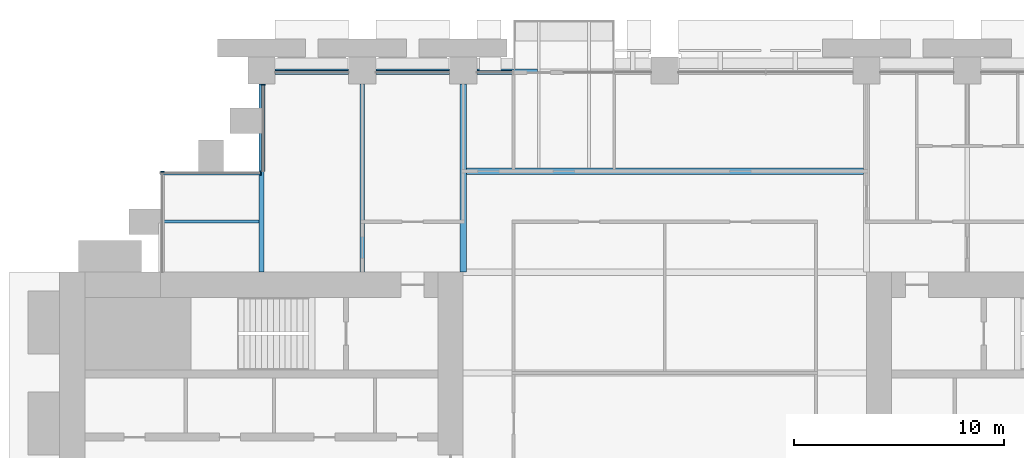
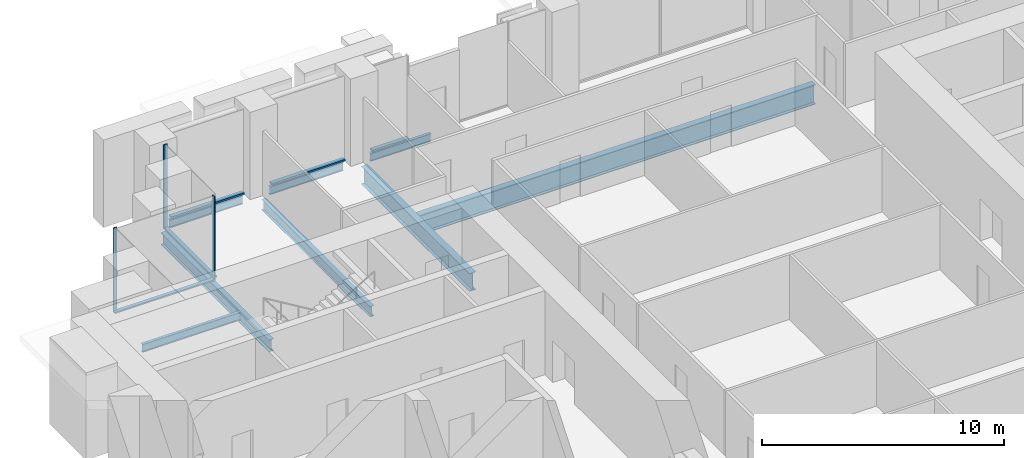
# One storey, part 15 of 32: 8 beams, 8 members, 4 elements without a shape of their own.
"""IFC4 building model written with IfcOpenShell, lengths in metres."""

from ifc_helpers import new_model, si_unit, direction, frame, origin, origin_2d, place, context, subcontext, project, spatial, rectangle, i_section, extrude, material, material_profile, profile_set, type_object, element, aggregate, save


model = new_model("IFC4")

# Units and contexts
model_context = context("Model", 3, precision=1e-05, world=origin(), true_north=direction((0.0, 1.0)))
body_context = subcontext(model_context, "Body", "Model", "MODEL_VIEW")
ifc_project = project(units=[si_unit("LENGTHUNIT", "METRE"), si_unit("AREAUNIT", "SQUARE_METRE"), si_unit("VOLUMEUNIT", "CUBIC_METRE"), si_unit("PLANEANGLEUNIT", "RADIAN"), si_unit("MASSUNIT", "GRAM", prefix="KILO")], contexts=[model_context])

# Site, building, storey
site_placement = place(None, origin())
site = spatial("IfcSite", under=ifc_project, at=site_placement, CompositionType="ELEMENT")
building_placement = place(site_placement, origin())
building = spatial("IfcBuilding", under=site, at=building_placement, Name="Baori Bourse Tower", CompositionType="ELEMENT")
storey_placement = place(building_placement, frame((0.0, 0.0, 21.39990234375)))
storey = spatial("IfcBuildingStorey", under=building, at=storey_placement, Name="L03", CompositionType="ELEMENT", Elevation=21.39990234375)

# Curtain wall, members
ifc_material_1 = material(Name="Pale anodised aluminium", Category="aluminium")
curtain_wall_type_1 = type_object("IfcCurtainWallType", Name="CW1 Curtain wall", PredefinedType="NOTDEFINED", material=ifc_material_1)
curtain_wall_1_placement = place(storey_placement, origin())
curtain_wall_1 = element("IfcCurtainWall", 1, at=curtain_wall_1_placement, inside=storey, type_object=curtain_wall_type_1, Name="Curtain wall CW1 L03 6", PredefinedType="NOTDEFINED")
ifc_material_2 = material(Name="Pale anodised aluminium", Category="aluminium")
ifc_material_profile_1 = material_profile(ifc_material_2, rectangle(XDim=0.199951171875, YDim=0.080078125, at=origin_2d()), Name="Transom 80x200")
ifc_profile_set_1 = profile_set([ifc_material_profile_1], Name="Pale anodised aluminium")
member_type_1 = type_object("IfcMemberType", Name="CW1 Curtain wall transom", PredefinedType="USERDEFINED", material=ifc_profile_set_1)
member_1_placement = place(storey_placement, frame((21.60009765625, 47.89990234375, 0.0400390625), z_axis=(-1.0, 0.0, 0.0), x_axis=(0.0, -1.0, 0.0)))
member_1 = element("IfcMember", 2, at=member_1_placement, type_object=member_type_1, Name="Curtain wall CW1 sill rail", ObjectType="TRANSOM", PredefinedType="USERDEFINED", context=body_context, shape_type="SweptSolid", body=[
    extrude(rectangle(XDim=0.199951171875, YDim=0.080078125, at=origin_2d()), origin(), (0.0, 0.0, 1.0), 1.75),
])
member_2_placement = place(storey_placement, frame((18.550048828125, 47.89990234375, 0.0400390625), z_axis=(-1.0, 0.0, 0.0), x_axis=(0.0, -1.0, 0.0)))
member_2 = element("IfcMember", 3, at=member_2_placement, type_object=member_type_1, Name="Curtain wall CW1 sill rail", ObjectType="TRANSOM", PredefinedType="USERDEFINED", context=body_context, shape_type="SweptSolid", body=[
    extrude(rectangle(XDim=0.199951171875, YDim=0.080078125, at=origin_2d()), origin(), (0.0, 0.0, 1.0), 3.5),
])
member_3_placement = place(storey_placement, frame((13.75, 47.89990234375, 0.0400390625), z_axis=(-1.0, 0.0, 0.0), x_axis=(0.0, -1.0, 0.0)))
member_3 = element("IfcMember", 4, at=member_3_placement, type_object=member_type_1, Name="Curtain wall CW1 sill rail", ObjectType="TRANSOM", PredefinedType="USERDEFINED", context=body_context, shape_type="SweptSolid", body=[
    extrude(rectangle(XDim=0.199951171875, YDim=0.080078125, at=origin_2d()), origin(), (0.0, 0.0, 1.0), 3.5),
])
aggregate(curtain_wall_1, [member_1, member_2, member_3])

# Curtain wall, member
ifc_material_3 = material(Name="Pale anodised aluminium", Category="aluminium")
curtain_wall_type_2 = type_object("IfcCurtainWallType", Name="CW2 Curtain wall", PredefinedType="NOTDEFINED", material=ifc_material_3)
curtain_wall_2_placement = place(storey_placement, origin())
curtain_wall_2 = element("IfcCurtainWall", 5, at=curtain_wall_2_placement, inside=storey, type_object=curtain_wall_type_2, Name="Curtain wall CW2 L03 7", PredefinedType="NOTDEFINED")
ifc_material_4 = material(Name="Pale anodised aluminium", Category="aluminium")
ifc_material_profile_2 = material_profile(ifc_material_4, rectangle(XDim=0.179931640625, YDim=0.054931640625, at=origin_2d()), Name="Mullion 55x180")
ifc_profile_set_2 = profile_set([ifc_material_profile_2], Name="Pale anodised aluminium")
member_type_2 = type_object("IfcMemberType", Name="CW2 Curtain wall mullion", PredefinedType="MULLION", material=ifc_profile_set_2)
member_4_placement = place(storey_placement, frame((9.68994140625, 47.322509765625, 0.070068359375), z_axis=(0.0, 0.0, 1.0), x_axis=(1.0, 0.0, 0.0)))
member_4 = element("IfcMember", 6, at=member_4_placement, type_object=member_type_2, Name="Curtain wall CW2 mullion", PredefinedType="MULLION", context=body_context, shape_type="SweptSolid", body=[
    extrude(rectangle(XDim=0.179931640625, YDim=0.054931640625, at=origin_2d()), origin(), (0.0, 0.0, 1.0), 4.169921875),
])

curtain_wall_3_placement = place(storey_placement, origin())
curtain_wall_3 = element("IfcCurtainWall", 7, at=curtain_wall_3_placement, inside=storey, type_object=curtain_wall_type_2, Name="Curtain wall CW2 L03 8", PredefinedType="NOTDEFINED")
member_5_placement = place(storey_placement, frame((9.572509765625, 43.110107421875, 0.070068359375), z_axis=(0.0, 0.0, 1.0), x_axis=(0.0, -1.0, 0.0)))
member_5 = element("IfcMember", 8, at=member_5_placement, type_object=member_type_2, Name="Curtain wall CW2 mullion", PredefinedType="MULLION", context=body_context, shape_type="SweptSolid", body=[
    extrude(rectangle(XDim=0.179931640625, YDim=0.054931640625, at=origin_2d()), origin(), (0.0, 0.0, 1.0), 4.169921875),
])

curtain_wall_4_placement = place(storey_placement, origin())
curtain_wall_4 = element("IfcCurtainWall", 9, at=curtain_wall_4_placement, inside=storey, type_object=curtain_wall_type_2, Name="Curtain wall CW2 L03 9", PredefinedType="NOTDEFINED")
member_6_placement = place(storey_placement, frame((4.889892578125, 43.172607421875, 0.070068359375), z_axis=(0.0, 0.0, 1.0), x_axis=(1.0, 0.0, 0.0)))
member_6 = element("IfcMember", 10, at=member_6_placement, type_object=member_type_2, Name="Curtain wall CW2 mullion", PredefinedType="MULLION", context=body_context, shape_type="SweptSolid", body=[
    extrude(rectangle(XDim=0.179931640625, YDim=0.054931640625, at=origin_2d()), origin(), (0.0, 0.0, 1.0), 4.169921875),
])
aggregate(curtain_wall_4, [member_6])

# Member
ifc_material_5 = material(Name="Pale anodised aluminium", Category="aluminium")
ifc_material_profile_3 = material_profile(ifc_material_5, rectangle(XDim=0.179931640625, YDim=0.070068359375, at=origin_2d()), Name="Transom 70x180")
ifc_profile_set_3 = profile_set([ifc_material_profile_3], Name="Pale anodised aluminium")
member_type_3 = type_object("IfcMemberType", Name="CW2 Curtain wall transom", PredefinedType="USERDEFINED", material=ifc_profile_set_3)
member_7_placement = place(storey_placement, frame((9.68994140625, 47.35009765625, 0.03515625), z_axis=(0.0, -1.0, 0.0), x_axis=(1.0, 0.0, 0.0)))
member_7 = element("IfcMember", 11, at=member_7_placement, type_object=member_type_3, Name="Curtain wall CW2 sill rail", ObjectType="TRANSOM", PredefinedType="USERDEFINED", context=body_context, shape_type="SweptSolid", body=[
    extrude(rectangle(XDim=0.179931640625, YDim=0.070068359375, at=origin_2d()), origin(), (0.0, 0.0, 1.0), 4.150146484375),
])

aggregate(curtain_wall_2, [member_7, member_4])

member_8_placement = place(storey_placement, frame((9.60009765625, 43.110107421875, 0.03515625), z_axis=(-1.0, 0.0, 0.0), x_axis=(0.0, -1.0, 0.0)))
member_8 = element("IfcMember", 12, at=member_8_placement, type_object=member_type_3, Name="Curtain wall CW2 sill rail", ObjectType="TRANSOM", PredefinedType="USERDEFINED", context=body_context, shape_type="SweptSolid", body=[
    extrude(rectangle(XDim=0.179931640625, YDim=0.070068359375, at=origin_2d()), origin(), (0.0, 0.0, 1.0), 4.800048828125),
])

aggregate(curtain_wall_3, [member_8, member_5])

# Beams
ifc_material_6 = material(Name="Steel A992 Gr 50", Category="steel")
ifc_material_profile_4 = material_profile(ifc_material_6, i_section(OverallWidth=0.140380859375, OverallDepth=0.40380859375, WebThickness=0.007080078125, FlangeThickness=0.01123046875, at=origin_2d()), Name="W16x31")
ifc_profile_set_4 = profile_set([ifc_material_profile_4], Name="Steel A992 Gr 50")
beam_type_1 = type_object("IfcBeamType", Name="Edge beam W16x31", PredefinedType="BEAM", material=ifc_profile_set_4)
for number, where, z_axis, x_axis, name in (
    (13, (10.25, 48.0, -0.36181640625), (1.0, 0.0, 0.0), (0.0, 1.0, 0.0), "Edge beam L03"),
    (14, (15.050048828125, 48.0, -0.36181640625), (1.0, 0.0, 0.0), (0.0, 1.0, 0.0), "Edge beam L03"),
):
    element("IfcBeam", number, at=place(storey_placement, frame(where, z_axis=z_axis, x_axis=x_axis)), inside=storey, type_object=beam_type_1, Name=name, PredefinedType="BEAM", context=body_context, shape_type="SweptSolid", body=[
        extrude(i_section(OverallWidth=0.140380859375, OverallDepth=0.40380859375, WebThickness=0.007080078125, FlangeThickness=0.01123046875, at=origin_2d()), origin(), (0.0, 0.0, 1.0), 3.5),
    ])
beam_1_placement = place(storey_placement, frame((19.85009765625, 48.0, -0.36181640625), z_axis=(1.0, 0.0, 0.0), x_axis=(0.0, 1.0, 0.0)))
element("IfcBeam", 15, at=beam_1_placement, inside=storey, type_object=beam_type_1, Name="Edge beam L03", PredefinedType="BEAM", context=body_context, shape_type="SweptSolid", body=[
    extrude(i_section(OverallWidth=0.140380859375, OverallDepth=0.40380859375, WebThickness=0.007080078125, FlangeThickness=0.01123046875, at=origin_2d()), origin(), (0.0, 0.0, 1.0), 2.879638671875),
])
ifc_material_7 = material(Name="Steel A992 Gr 50", Category="steel")
ifc_material_profile_5 = material_profile(ifc_material_7, i_section(OverallWidth=0.209228515625, OverallDepth=0.533447265625, WebThickness=0.01025390625, FlangeThickness=0.015625, at=origin_2d()), Name="W21x62")
ifc_profile_set_5 = profile_set([ifc_material_profile_5], Name="Steel A992 Gr 50")
beam_type_2 = type_object("IfcBeamType", Name="Floor beam W21x62", PredefinedType="BEAM", material=ifc_profile_set_5)
beam_2_placement = place(storey_placement, frame((14.39990234375, 38.39990234375, -0.426513671875), z_axis=(0.0, 1.0, 0.0), x_axis=(-1.0, 0.0, 0.0)))
element("IfcBeam", 16, at=beam_2_placement, inside=storey, type_object=beam_type_2, Name="Floor beam L03", PredefinedType="BEAM", context=body_context, shape_type="SweptSolid", body=[
    extrude(i_section(OverallWidth=0.209228515625, OverallDepth=0.533447265625, WebThickness=0.01025390625, FlangeThickness=0.015625, at=origin_2d()), origin(), (0.0, 0.0, 1.0), 8.9501953125),
])
ifc_material_8 = material(Name="Steel A992 Gr 50", Category="steel")
ifc_material_profile_6 = material_profile(ifc_material_8, i_section(OverallWidth=0.227783203125, OverallDepth=0.60205078125, WebThickness=0.010498046875, FlangeThickness=0.014892578125, at=origin_2d()), Name="W24x68")
ifc_profile_set_6 = profile_set([ifc_material_profile_6], Name="Steel A992 Gr 50")
beam_type_3 = type_object("IfcBeamType", Name="Floor beam W24x68", PredefinedType="BEAM", material=ifc_profile_set_6)
beam_3_placement = place(storey_placement, frame((9.60009765625, 38.39990234375, -0.4609375), z_axis=(0.0, 1.0, 0.0), x_axis=(-1.0, 0.0, 0.0)))
element("IfcBeam", 17, at=beam_3_placement, inside=storey, type_object=beam_type_3, Name="Floor beam L03", PredefinedType="BEAM", context=body_context, shape_type="SweptSolid", body=[
    extrude(i_section(OverallWidth=0.227783203125, OverallDepth=0.60205078125, WebThickness=0.010498046875, FlangeThickness=0.014892578125, at=origin_2d()), origin(), (0.0, 0.0, 1.0), 8.9501953125),
])
ifc_material_9 = material(Name="Steel A992 Gr 50", Category="steel")
ifc_material_profile_7 = material_profile(ifc_material_9, i_section(OverallWidth=0.2998046875, OverallDepth=0.990478515625, WebThickness=0.0166015625, FlangeThickness=0.030517578125, at=origin_2d()), Name="W40x183")
ifc_profile_set_7 = profile_set([ifc_material_profile_7], Name="Steel A992 Gr 50")
beam_type_4 = type_object("IfcBeamType", Name="Floor beam W40x183", PredefinedType="BEAM", material=ifc_profile_set_7)
beam_4_placement = place(storey_placement, frame((19.352294921875, 43.199951171875, -0.6552734375), z_axis=(1.0, 0.0, 0.0), x_axis=(0.0, 1.0, 0.0)))
element("IfcBeam", 18, at=beam_4_placement, inside=storey, type_object=beam_type_4, Name="Floor beam L03", PredefinedType="BEAM", context=body_context, shape_type="SweptSolid", body=[
    extrude(i_section(OverallWidth=0.2998046875, OverallDepth=0.990478515625, WebThickness=0.0166015625, FlangeThickness=0.030517578125, at=origin_2d()), origin(), (0.0, 0.0, 1.0), 18.901611328125),
])
ifc_material_10 = material(Name="Steel A992 Gr 50", Category="steel")
ifc_material_profile_8 = material_profile(ifc_material_10, i_section(OverallWidth=0.3046875, OverallDepth=0.904296875, WebThickness=0.01513671875, FlangeThickness=0.02001953125, at=origin_2d()), Name="W36x135")
ifc_profile_set_8 = profile_set([ifc_material_profile_8], Name="Steel A992 Gr 50")
beam_type_5 = type_object("IfcBeamType", Name="Girder W36x135", PredefinedType="BEAM", material=ifc_profile_set_8)
beam_5_placement = place(storey_placement, frame((19.199951171875, 38.39990234375, -0.612060546875), z_axis=(0.0, 1.0, 0.0), x_axis=(-1.0, 0.0, 0.0)))
element("IfcBeam", 19, at=beam_5_placement, inside=storey, type_object=beam_type_5, Name="Girder L03", PredefinedType="BEAM", context=body_context, shape_type="SweptSolid", body=[
    extrude(i_section(OverallWidth=0.3046875, OverallDepth=0.904296875, WebThickness=0.01513671875, FlangeThickness=0.02001953125, at=origin_2d()), origin(), (0.0, 0.0, 1.0), 8.9501953125),
])
ifc_material_11 = material(Name="Steel A992 Gr 50", Category="steel")
ifc_material_profile_9 = material_profile(ifc_material_11, i_section(OverallWidth=0.140380859375, OverallDepth=0.40380859375, WebThickness=0.007080078125, FlangeThickness=0.01123046875, at=origin_2d()), Name="W16x31")
ifc_profile_set_9 = profile_set([ifc_material_profile_9], Name="Steel A992 Gr 50")
beam_type_6 = type_object("IfcBeamType", Name="Trimmer beam W16x31", PredefinedType="BEAM", material=ifc_profile_set_9)
beam_6_placement = place(storey_placement, frame((4.800048828125, 40.800048828125, -0.36181640625), z_axis=(1.0, 0.0, 0.0), x_axis=(0.0, 1.0, 0.0)))
element("IfcBeam", 20, at=beam_6_placement, inside=storey, type_object=beam_type_6, Name="Trimmer beam L03", PredefinedType="BEAM", context=body_context, shape_type="SweptSolid", body=[
    extrude(i_section(OverallWidth=0.140380859375, OverallDepth=0.40380859375, WebThickness=0.007080078125, FlangeThickness=0.01123046875, at=origin_2d()), origin(), (0.0, 0.0, 1.0), 4.68603515625),
])

save(model, "model.ifc")
